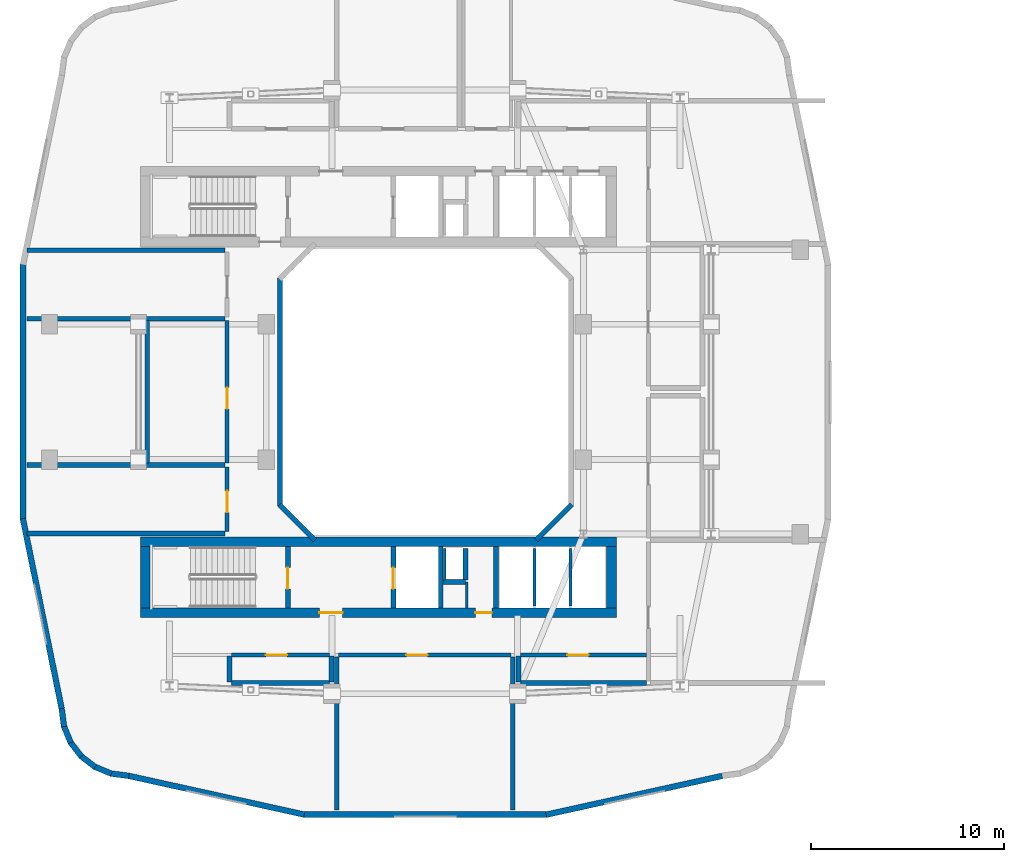
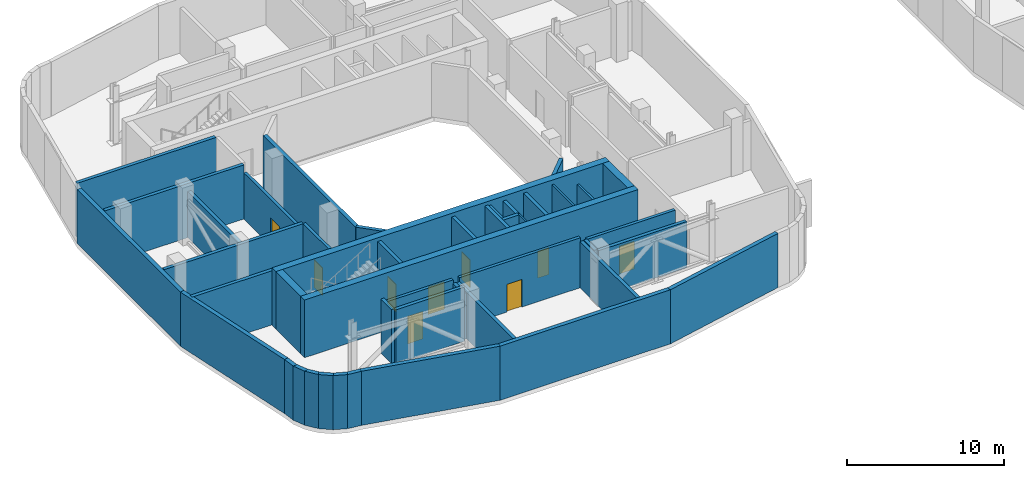
# One storey, part 7 of 18: 45 walls, 9 doors, 9 openings.
"""IFC4 building model written with IfcOpenShell, lengths in metres."""

from ifc_helpers import new_model, si_unit, derived_unit, direction, frame, frame_2d, origin, place, context, subcontext, project, spatial, rectangle, extrude, material, layer, layer_set, type_object, element, fill, save


model = new_model("IFC4")

# Units and contexts
model_context = context("Model", 3, precision=1e-05, world=origin(), true_north=direction((0.0, 1.0)))
body_context = subcontext(model_context, "Body", "Model", "MODEL_VIEW")
ifc_project = project(units=[si_unit("LENGTHUNIT", "METRE"), si_unit("AREAUNIT", "SQUARE_METRE"), si_unit("VOLUMEUNIT", "CUBIC_METRE"), si_unit("PLANEANGLEUNIT", "RADIAN"), si_unit("MASSUNIT", "GRAM", prefix="KILO"), derived_unit("THERMALTRANSMITTANCEUNIT", [(si_unit("POWERUNIT", "WATT"), 1), (si_unit("LENGTHUNIT", "METRE"), -2), (si_unit("THERMODYNAMICTEMPERATUREUNIT", "KELVIN"), -1)])], contexts=[model_context])

# Site, building, storey
site_placement = place(None, origin())
site = spatial("IfcSite", under=ifc_project, at=site_placement, CompositionType="ELEMENT")
building_placement = place(site_placement, origin())
building = spatial("IfcBuilding", under=site, at=building_placement, Name="Kivonza Crest Hotel", CompositionType="ELEMENT")
storey_placement = place(building_placement, frame((0.0, 0.0, 90.5)))
storey = spatial("IfcBuildingStorey", under=building, at=storey_placement, Name="L24", CompositionType="ELEMENT", Elevation=90.5)

# Wall, opening, door
ifc_material_1 = material(Name="Autoclaved aerated concrete blockwork", Category="masonry")
ifc_layer_1 = layer(ifc_material_1, 0.219970703125)
ifc_layer_set_1 = layer_set([ifc_layer_1], Name="Autoclaved aerated concrete blockwork")
wall_type_1 = type_object("IfcWallType", Name="WL-ACOU-220", PredefinedType="SOLIDWALL", material=ifc_layer_set_1)
wall_1_placement = place(storey_placement, frame((16.550048828125, 11.39990234375, 0.0), z_axis=(0.0, 0.0, 1.0), x_axis=(1.0, 0.0, 0.0)))
wall_1 = element("IfcWall", 1, at=wall_1_placement, inside=storey, type_object=wall_type_1, Name="L24 interior partition WA-L24-REF-S-N", PredefinedType="SOLIDWALL", context=body_context, shape_type="SweptSolid", body=[
    extrude(rectangle(XDim=8.89990234375, YDim=0.219970703125, at=frame_2d((4.449951171875, 0.0))), origin(), (0.0, 0.0, 1.0), 3.89501953125),
])
opening_1_placement = place(wall_1_placement, frame((3.5, 0.0, 0.0)))
opening_1 = element("IfcOpeningElement", 2, at=opening_1_placement, cuts=wall_1, Name="Opening DF-120", PredefinedType="OPENING", context=body_context, shape_type="SweptSolid", body=[
    extrude(rectangle(XDim=1.10009765625, YDim=2.14990234375, at=frame_2d((0.550048828125, 1.074951171875))), frame((0.0, 0.1201171875, 0.0), z_axis=(0.0, -1.0, 0.0), x_axis=(1.0, 0.0, 0.0)), (0.0, 0.0, 1.0), 0.239990234375),
])
ifc_material_2 = material(Name="Galvanised steel", Category="steel")
door_type_1 = type_object("IfcDoorType", Name="DR-FD120-1100", OperationType="NOTDEFINED", PredefinedType="DOOR", material=ifc_material_2)
door_1_placement = place(opening_1_placement, frame((1.10009765625, 0.0, 0.0), z_axis=(0.0, 0.0, 1.0), x_axis=(-1.0, 0.0, 0.0)))
door_1 = element("IfcDoor", 3, at=door_1_placement, inside=storey, type_object=door_type_1, Name="L24 South Protected Refuge Area door", OperationType="SINGLE_SWING_LEFT", OverallHeight=2.14990234375, OverallWidth=1.10009765625, PredefinedType="DOOR", context=body_context, shape_type="SweptSolid", body=[
    extrude(rectangle(XDim=1.10009765625, YDim=2.14990234375, at=frame_2d((0.550048828125, 1.074951171875))), frame((0.0, 0.02490234375, 0.0), z_axis=(0.0, -1.0, 0.0), x_axis=(1.0, 0.0, 0.0)), (0.0, 0.0, 1.0), 0.050048828125),
])
fill(opening_1, door_1)

wall_2_placement = place(storey_placement, frame((10.780029296875, 17.780029296875, 0.0), z_axis=(0.0, 0.0, 1.0), x_axis=(0.0, 1.0, 0.0)))
wall_2 = element("IfcWall", 4, at=wall_2_placement, inside=storey, type_object=wall_type_1, Name="L24 interior partition WA-L24-PL-TNK-E", PredefinedType="SOLIDWALL", context=body_context, shape_type="SweptSolid", body=[
    extrude(rectangle(XDim=3.340087890625, YDim=0.219970703125, at=frame_2d((1.669921875, 0.0))), origin(), (0.0, 0.0, 1.0), 4.219970703125),
])
opening_2_placement = place(wall_2_placement, frame((0.998046875, 0.0, 0.0)))
opening_2 = element("IfcOpeningElement", 5, at=opening_2_placement, cuts=wall_2, Name="Opening DF-120", PredefinedType="OPENING", context=body_context, shape_type="SweptSolid", body=[
    extrude(rectangle(XDim=1.10009765625, YDim=2.14990234375, at=frame_2d((0.550048828125, 1.074951171875))), frame((0.0, 0.1201171875, 0.0), z_axis=(0.0, -1.0, 0.0), x_axis=(1.0, 0.0, 0.0)), (0.0, 0.0, 1.0), 0.239990234375),
])
door_2_placement = place(opening_2_placement, origin())
door_2 = element("IfcDoor", 6, at=door_2_placement, inside=storey, type_object=door_type_1, Name="L24 Fire Break Tank and Booster Pump Room door", OperationType="SINGLE_SWING_RIGHT", OverallHeight=2.14990234375, OverallWidth=1.10009765625, PredefinedType="DOOR", context=body_context, shape_type="SweptSolid", body=[
    extrude(rectangle(XDim=1.10009765625, YDim=2.14990234375, at=frame_2d((0.550048828125, 1.074951171875))), frame((0.0, 0.02490234375, 0.0), z_axis=(0.0, -1.0, 0.0), x_axis=(1.0, 0.0, 0.0)), (0.0, 0.0, 1.0), 0.050048828125),
])
fill(opening_2, door_2)

wall_3_placement = place(storey_placement, frame((10.780029296875, 21.320068359375, 0.0), z_axis=(0.0, 0.0, 1.0), x_axis=(0.0, 1.0, 0.0)))
wall_3 = element("IfcWall", 7, at=wall_3_placement, inside=storey, type_object=wall_type_1, Name="L24 interior partition WA-L24-PL-CHL-E", PredefinedType="SOLIDWALL", context=body_context, shape_type="SweptSolid", body=[
    extrude(rectangle(XDim=7.35986328125, YDim=0.219970703125, at=frame_2d((3.679931640625, 0.0))), origin(), (0.0, 0.0, 1.0), 3.594970703125),
])
opening_3_placement = place(wall_3_placement, frame((2.806884765625, 0.0, 0.0)))
opening_3 = element("IfcOpeningElement", 8, at=opening_3_placement, cuts=wall_3, Name="Opening DF-120", PredefinedType="OPENING", context=body_context, shape_type="SweptSolid", body=[
    extrude(rectangle(XDim=1.10009765625, YDim=2.14990234375, at=frame_2d((0.550048828125, 1.074951171875))), frame((0.0, 0.1201171875, 0.0), z_axis=(0.0, -1.0, 0.0), x_axis=(1.0, 0.0, 0.0)), (0.0, 0.0, 1.0), 0.239990234375),
])
door_3_placement = place(opening_3_placement, origin())
door_3 = element("IfcDoor", 9, at=door_3_placement, inside=storey, type_object=door_type_1, Name="L24 Chilled Water Header Plant Room door", OperationType="SINGLE_SWING_LEFT", OverallHeight=2.14990234375, OverallWidth=1.10009765625, PredefinedType="DOOR", context=body_context, shape_type="SweptSolid", body=[
    extrude(rectangle(XDim=1.10009765625, YDim=2.14990234375, at=frame_2d((0.550048828125, 1.074951171875))), frame((0.0, 0.02490234375, 0.0), z_axis=(0.0, -1.0, 0.0), x_axis=(1.0, 0.0, 0.0)), (0.0, 0.0, 1.0), 0.050048828125),
])
fill(opening_3, door_3)

wall_4_placement = place(storey_placement, frame((11.0, 11.39990234375, 0.0), z_axis=(0.0, 0.0, 1.0), x_axis=(1.0, 0.0, 0.0)))
wall_4 = element("IfcWall", 10, at=wall_4_placement, inside=storey, type_object=wall_type_1, Name="L24 interior partition WA-L24-PL-MSW-N", PredefinedType="SOLIDWALL", context=body_context, shape_type="SweptSolid", body=[
    extrude(rectangle(XDim=5.080078125, YDim=0.219970703125, at=frame_2d((2.5400390625, 0.0))), origin(), (0.0, 0.0, 1.0), 3.89501953125),
])
opening_4_placement = place(wall_4_placement, frame((1.781005859375, 0.0, 0.0)))
opening_4 = element("IfcOpeningElement", 11, at=opening_4_placement, cuts=wall_4, Name="Opening DF-120", PredefinedType="OPENING", context=body_context, shape_type="SweptSolid", body=[
    extrude(rectangle(XDim=1.10009765625, YDim=2.14990234375, at=frame_2d((0.550048828125, 1.074951171875))), frame((0.0, 0.1201171875, 0.0), z_axis=(0.0, -1.0, 0.0), x_axis=(1.0, 0.0, 0.0)), (0.0, 0.0, 1.0), 0.239990234375),
])
door_4_placement = place(opening_4_placement, frame((1.10009765625, 0.0, 0.0), z_axis=(0.0, 0.0, 1.0), x_axis=(-1.0, 0.0, 0.0)))
door_4 = element("IfcDoor", 12, at=door_4_placement, inside=storey, type_object=door_type_1, Name="L24 South-West Booster Plant Room door", OperationType="SINGLE_SWING_LEFT", OverallHeight=2.14990234375, OverallWidth=1.10009765625, PredefinedType="DOOR", context=body_context, shape_type="SweptSolid", body=[
    extrude(rectangle(XDim=1.10009765625, YDim=2.14990234375, at=frame_2d((0.550048828125, 1.074951171875))), frame((0.0, 0.02490234375, 0.0), z_axis=(0.0, -1.0, 0.0), x_axis=(1.0, 0.0, 0.0)), (0.0, 0.0, 1.0), 0.050048828125),
])
fill(opening_4, door_4)

wall_5_placement = place(storey_placement, frame((25.949951171875, 11.39990234375, 0.0), z_axis=(0.0, 0.0, 1.0), x_axis=(1.0, 0.0, 0.0)))
wall_5 = element("IfcWall", 13, at=wall_5_placement, inside=storey, type_object=wall_type_1, Name="L24 interior partition WA-L24-PL-MIDS-N", PredefinedType="SOLIDWALL", context=body_context, shape_type="SweptSolid", body=[
    extrude(rectangle(XDim=6.510009765625, YDim=0.219970703125, at=frame_2d((3.2548828125, 0.0))), origin(), (0.0, 0.0, 1.0), 3.594970703125),
])
opening_5_placement = place(wall_5_placement, frame((2.425048828125, 0.0, 0.0)))
opening_5 = element("IfcOpeningElement", 14, at=opening_5_placement, cuts=wall_5, Name="Opening DF-120", PredefinedType="OPENING", context=body_context, shape_type="SweptSolid", body=[
    extrude(rectangle(XDim=1.10009765625, YDim=2.14990234375, at=frame_2d((0.550048828125, 1.074951171875))), frame((0.0, 0.1201171875, 0.0), z_axis=(0.0, -1.0, 0.0), x_axis=(1.0, 0.0, 0.0)), (0.0, 0.0, 1.0), 0.239990234375),
])
door_5_placement = place(opening_5_placement, frame((1.10009765625, 0.0, 0.0), z_axis=(0.0, 0.0, 1.0), x_axis=(-1.0, 0.0, 0.0)))
door_5 = element("IfcDoor", 15, at=door_5_placement, inside=storey, type_object=door_type_1, Name="L24 South-East Header Plant Room door", OperationType="SINGLE_SWING_LEFT", OverallHeight=2.14990234375, OverallWidth=1.10009765625, PredefinedType="DOOR", context=body_context, shape_type="SweptSolid", body=[
    extrude(rectangle(XDim=1.10009765625, YDim=2.14990234375, at=frame_2d((0.550048828125, 1.074951171875))), frame((0.0, 0.02490234375, 0.0), z_axis=(0.0, -1.0, 0.0), x_axis=(1.0, 0.0, 0.0)), (0.0, 0.0, 1.0), 0.050048828125),
])
fill(opening_5, door_5)

# Wall, openings, doors
ifc_material_3 = material(Name="Concrete C60/75", Category="concrete")
ifc_layer_2 = layer(ifc_material_3, 0.5)
ifc_layer_set_2 = layer_set([ifc_layer_2], Name="Concrete C60/75")
wall_type_2 = type_object("IfcWallType", Name="WL-CORE-500", PredefinedType="SHEAR", material=ifc_layer_set_2)
wall_6_placement = place(storey_placement, frame((6.300048828125, 13.590087890625, 0.0), z_axis=(0.0, 0.0, 1.0), x_axis=(1.0, 0.0, 0.0)))
wall_6 = element("IfcWall", 16, at=wall_6_placement, inside=storey, type_object=wall_type_2, Name="Core wall T1-S South L24", PredefinedType="SHEAR", context=body_context, shape_type="SweptSolid", body=[
    extrude(rectangle(XDim=24.599853515625, YDim=0.5, at=frame_2d((12.2998046875, 0.0))), origin(), (0.0, 0.0, 1.0), 4.5),
])
opening_6_placement = place(wall_6_placement, frame((9.25, 0.0, 0.0)))
opening_6 = element("IfcOpeningElement", 17, at=opening_6_placement, cuts=wall_6, Name="Opening DF-60", PredefinedType="OPENING", context=body_context, shape_type="SweptSolid", body=[
    extrude(rectangle(XDim=1.199951171875, YDim=2.14990234375, at=frame_2d((0.60009765625, 1.074951171875))), frame((0.0, 0.260009765625, 0.0), z_axis=(0.0, -1.0, 0.0), x_axis=(1.0, 0.0, 0.0)), (0.0, 0.0, 1.0), 0.52001953125),
])
opening_7_placement = place(wall_6_placement, frame((17.320068359375, 0.0, 0.0)))
opening_7 = element("IfcOpeningElement", 18, at=opening_7_placement, cuts=wall_6, Name="Opening DF-60R", PredefinedType="OPENING", context=body_context, shape_type="SweptSolid", body=[
    extrude(rectangle(XDim=0.85009765625, YDim=2.10009765625, at=frame_2d((0.425048828125, 1.050048828125))), frame((0.0, 0.260009765625, 0.0), z_axis=(0.0, -1.0, 0.0), x_axis=(1.0, 0.0, 0.0)), (0.0, 0.0, 1.0), 0.52001953125),
])
ifc_material_4 = material(Name="Hardwood timber oak", Category="wood")
door_type_2 = type_object("IfcDoorType", Name="DR-FD60-1200", OperationType="NOTDEFINED", PredefinedType="DOOR", material=ifc_material_4)
door_6_placement = place(opening_6_placement, frame((1.199951171875, 0.0, 0.0), z_axis=(0.0, 0.0, 1.0), x_axis=(-1.0, 0.0, 0.0)))
door_6 = element("IfcDoor", 19, at=door_6_placement, inside=storey, type_object=door_type_2, Name="L24 T1-S firefighting lobby fire door", OperationType="SINGLE_SWING_LEFT", OverallHeight=2.14990234375, OverallWidth=1.199951171875, PredefinedType="DOOR", context=body_context, shape_type="SweptSolid", body=[
    extrude(rectangle(XDim=1.199951171875, YDim=2.14990234375, at=frame_2d((0.60009765625, 1.074951171875))), frame((0.0, 0.02490234375, 0.0), z_axis=(0.0, -1.0, 0.0), x_axis=(1.0, 0.0, 0.0)), (0.0, 0.0, 1.0), 0.050048828125),
])
fill(opening_6, door_6)
door_type_3 = type_object("IfcDoorType", Name="DR-FD60-850", OperationType="NOTDEFINED", PredefinedType="DOOR", material=ifc_material_4)
door_7_placement = place(opening_7_placement, frame((0.85009765625, 0.0, 0.0), z_axis=(0.0, 0.0, 1.0), x_axis=(-1.0, 0.0, 0.0)))
door_7 = element("IfcDoor", 20, at=door_7_placement, inside=storey, type_object=door_type_3, Name="L24 T1-S core room door", OperationType="SINGLE_SWING_RIGHT", OverallHeight=2.10009765625, OverallWidth=0.85009765625, PredefinedType="DOOR", context=body_context, shape_type="SweptSolid", body=[
    extrude(rectangle(XDim=0.85009765625, YDim=2.10009765625, at=frame_2d((0.425048828125, 1.050048828125))), frame((0.0, 0.02490234375, 0.0), z_axis=(0.0, -1.0, 0.0), x_axis=(1.0, 0.0, 0.0)), (0.0, 0.0, 1.0), 0.050048828125),
])
fill(opening_7, door_7)

# Walls
wall_7_placement = place(storey_placement, frame((6.300048828125, 17.25, 0.0), z_axis=(0.0, 0.0, 1.0), x_axis=(1.0, 0.0, 0.0)))
element("IfcWall", 21, at=wall_7_placement, inside=storey, type_object=wall_type_2, Name="Core wall T1-S North L24", PredefinedType="SHEAR", context=body_context, shape_type="SweptSolid", body=[
    extrude(rectangle(XDim=24.599853515625, YDim=0.5, at=frame_2d((12.2998046875, 0.0))), origin(), (0.0, 0.0, 1.0), 4.5),
])
for number, where, z_axis, x_axis, name in (
    (22, (6.550048828125, 13.840087890625, 0.0), (0.0, 0.0, 1.0), (0.0, 1.0, 0.0), "Core wall T1-S West L24"),
    (23, (30.64990234375, 13.840087890625, 0.0), (0.0, 0.0, 1.0), (0.0, 1.0, 0.0), "Core wall T1-S East L24"),
):
    element("IfcWall", number, at=place(storey_placement, frame(where, z_axis=z_axis, x_axis=x_axis)), inside=storey, type_object=wall_type_2, Name=name, PredefinedType="SHEAR", context=body_context, shape_type="SweptSolid", body=[
        extrude(rectangle(XDim=3.159912109375, YDim=0.5, at=frame_2d((1.580078125, 0.0))), origin(), (0.0, 0.0, 1.0), 4.5),
    ])
ifc_material_5 = material(Name="Precast concrete C40/50", Category="concrete")
ifc_layer_3 = layer(ifc_material_5, 0.260009765625)
ifc_layer_set_3 = layer_set([ifc_layer_3], Name="Precast concrete C40/50")
wall_type_3 = type_object("IfcWallType", Name="WL-EXT-260", PredefinedType="STANDARD", material=ifc_layer_set_3)
wall_8_placement = place(storey_placement, frame((26.761962890625, 17.337890625, 0.0), z_axis=(0.0, 0.0, 1.0), x_axis=(0.707059717605, 0.707153841636, 0.0)))
element("IfcWall", 24, at=wall_8_placement, inside=storey, type_object=wall_type_3, Name="L24 T1 light-well exterior wall 2", PredefinedType="STANDARD", context=body_context, shape_type="SweptSolid", body=[
    extrude(rectangle(XDim=2.59375, YDim=0.260009765625, at=frame_2d((1.296875, 0.0))), origin(), (0.0, 0.0, 1.0), 4.219970703125),
])
wall_9_placement = place(storey_placement, frame((13.510009765625, 30.889892578125, 0.0), z_axis=(0.0, 0.0, 1.0), x_axis=(0.0, -1.0, 0.0)))
element("IfcWall", 25, at=wall_9_placement, inside=storey, type_object=wall_type_3, Name="L24 T1 light-well exterior wall 7", PredefinedType="STANDARD", context=body_context, shape_type="SweptSolid", body=[
    extrude(rectangle(XDim=11.77978515625, YDim=0.260009765625, at=frame_2d((5.889892578125, 0.0))), origin(), (0.0, 0.0, 1.0), 4.219970703125),
])
wall_10_placement = place(storey_placement, frame((13.48388671875, 19.172119140625, 0.0), z_axis=(0.0, 0.0, 1.0), x_axis=(0.707106781187, -0.707106781187, 0.0)))
element("IfcWall", 26, at=wall_10_placement, inside=storey, type_object=wall_type_3, Name="L24 T1 light-well exterior wall 8", PredefinedType="STANDARD", context=body_context, shape_type="SweptSolid", body=[
    extrude(rectangle(XDim=2.593994140625, YDim=0.260009765625, at=frame_2d((1.296875, 0.0))), origin(), (0.0, 0.0, 1.0), 4.219970703125),
])
ifc_layer_4 = layer(ifc_material_5, 0.300048828125)
ifc_layer_set_4 = layer_set([ifc_layer_4], Name="Precast concrete C40/50")
wall_type_4 = type_object("IfcWallType", Name="WL-EXT-300", PredefinedType="STANDARD", material=ifc_layer_set_4)
wall_11_placement = place(storey_placement, frame((2.22802734375, 8.6279296875, 0.0), z_axis=(0.0, 0.0, 1.0), x_axis=(0.131174864804, -0.991359246108, 0.0)))
element("IfcWall", 27, at=wall_11_placement, inside=storey, type_object=wall_type_4, Name="L24 T1 exterior insulated wall 1", PredefinedType="STANDARD", context=body_context, shape_type="SweptSolid", body=[
    extrude(rectangle(XDim=0.93798828125, YDim=0.300048828125, at=frame_2d((0.468994140625, 0.0))), origin(), (0.0, 0.0, 1.0), 4.219970703125),
])
wall_12_placement = place(storey_placement, frame((2.33203125, 7.748046875, 0.0), z_axis=(0.0, 0.0, 1.0), x_axis=(0.382344263057, -0.924019948111, 0.0)))
element("IfcWall", 28, at=wall_12_placement, inside=storey, type_object=wall_type_4, Name="L24 T1 exterior insulated wall 2", PredefinedType="STANDARD", context=body_context, shape_type="SweptSolid", body=[
    extrude(rectangle(XDim=0.95458984375, YDim=0.300048828125, at=frame_2d((0.477294921875, 0.0))), origin(), (0.0, 0.0, 1.0), 4.219970703125),
])
for number, where, z_axis, x_axis, name in (
    (29, (2.666015625, 6.910888671875, 0.0), (0.0, 0.0, 1.0), (0.608474481025, -0.793573440799, 0.0), "L24 T1 exterior insulated wall 3"),
    (30, (3.205078125, 6.18798828125, 0.0), (0.0, 0.0, 1.0), (0.793573440799, -0.608474481025, 0.0), "L24 T1 exterior insulated wall 4"),
):
    element("IfcWall", number, at=place(storey_placement, frame(where, z_axis=z_axis, x_axis=x_axis)), inside=storey, type_object=wall_type_4, Name=name, PredefinedType="STANDARD", context=body_context, shape_type="SweptSolid", body=[
        extrude(rectangle(XDim=0.954833984375, YDim=0.300048828125, at=frame_2d((0.4775390625, 0.0))), origin(), (0.0, 0.0, 1.0), 4.219970703125),
    ])
wall_13_placement = place(storey_placement, frame((3.9140625, 5.631103515625, 0.0), z_axis=(0.0, 0.0, 1.0), x_axis=(0.923982547689, -0.382434636986, 0.0)))
element("IfcWall", 31, at=wall_13_placement, inside=storey, type_object=wall_type_4, Name="L24 T1 exterior insulated wall 5", PredefinedType="STANDARD", context=body_context, shape_type="SweptSolid", body=[
    extrude(rectangle(XDim=0.954345703125, YDim=0.300048828125, at=frame_2d((0.47705078125, 0.0))), origin(), (0.0, 0.0, 1.0), 4.219970703125),
])
wall_14_placement = place(storey_placement, frame((4.742919921875, 5.27490234375, 0.0), z_axis=(0.0, 0.0, 1.0), x_axis=(0.99145856342, -0.130422072598, 0.0)))
element("IfcWall", 32, at=wall_14_placement, inside=storey, type_object=wall_type_4, Name="L24 T1 exterior insulated wall 6", PredefinedType="STANDARD", context=body_context, shape_type="SweptSolid", body=[
    extrude(rectangle(XDim=0.973388671875, YDim=0.300048828125, at=frame_2d((0.48681640625, 0.0))), origin(), (0.0, 0.0, 1.0), 4.219970703125),
])
wall_15_placement = place(storey_placement, frame((5.7041015625, 5.14794921875, 0.0), z_axis=(0.0, 0.0, 1.0), x_axis=(0.976539545934, -0.215338141596, 0.0)))
element("IfcWall", 33, at=wall_15_placement, inside=storey, type_object=wall_type_4, Name="L24 T1 exterior insulated wall 7", PredefinedType="STANDARD", context=body_context, shape_type="SweptSolid", body=[
    extrude(rectangle(XDim=9.28759765625, YDim=0.300048828125, at=frame_2d((4.643798828125, 0.0))), origin(), (0.0, 0.0, 1.0), 4.219970703125),
])
wall_16_placement = place(storey_placement, frame((14.72705078125, 3.14990234375, 0.0), z_axis=(0.0, 0.0, 1.0), x_axis=(1.0, 0.0, 0.0)))
element("IfcWall", 34, at=wall_16_placement, inside=storey, type_object=wall_type_4, Name="L24 T1 exterior insulated wall 8", PredefinedType="STANDARD", context=body_context, shape_type="SweptSolid", body=[
    extrude(rectangle(XDim=12.591064453125, YDim=0.300048828125, at=frame_2d((6.29541015625, 0.0))), origin(), (0.0, 0.0, 1.0), 4.219970703125),
])
wall_17_placement = place(storey_placement, frame((27.27197265625, 3.14111328125, 0.0), z_axis=(0.0, 0.0, 1.0), x_axis=(0.976555357219, 0.21526642629, 0.0)))
element("IfcWall", 35, at=wall_17_placement, inside=storey, type_object=wall_type_4, Name="L24 T1 exterior insulated wall 9", PredefinedType="STANDARD", context=body_context, shape_type="SweptSolid", body=[
    extrude(rectangle(XDim=9.322509765625, YDim=0.300048828125, at=frame_2d((4.6611328125, 0.0))), origin(), (0.0, 0.0, 1.0), 4.219970703125),
])
wall_18_placement = place(storey_placement, frame((0.22998046875, 31.625, 0.0), z_axis=(0.0, 0.0, 1.0), x_axis=(0.0, -1.0, 0.0)))
element("IfcWall", 36, at=wall_18_placement, inside=storey, type_object=wall_type_4, Name="L24 T1 exterior insulated wall 35", PredefinedType="STANDARD", context=body_context, shape_type="SweptSolid", body=[
    extrude(rectangle(XDim=13.215087890625, YDim=0.300048828125, at=frame_2d((6.607421875, 0.0))), origin(), (0.0, 0.0, 1.0), 4.219970703125),
])
wall_19_placement = place(storey_placement, frame((0.221923828125, 18.4541015625, 0.0), z_axis=(0.0, 0.0, 1.0), x_axis=(0.200011968255, -0.979793454027, 0.0)))
element("IfcWall", 37, at=wall_19_placement, inside=storey, type_object=wall_type_4, Name="L24 T1 exterior insulated wall 36", PredefinedType="STANDARD", context=body_context, shape_type="SweptSolid", body=[
    extrude(rectangle(XDim=10.034912109375, YDim=0.300048828125, at=frame_2d((5.017578125, 0.0))), origin(), (0.0, 0.0, 1.0), 4.219970703125),
])
ifc_material_6 = material(Name="Concrete blockwork fire-compartment wall", Category="masonry")
ifc_layer_5 = layer(ifc_material_6, 0.25)
ifc_layer_set_5 = layer_set([ifc_layer_5], Name="Concrete blockwork fire-compartment wall")
wall_type_5 = type_object("IfcWallType", Name="WL-FIRE-250", PredefinedType="SOLIDWALL", material=ifc_layer_set_5)
wall_20_placement = place(storey_placement, frame((23.10009765625, 15.280029296875, 0.0), z_axis=(0.0, 0.0, 1.0), x_axis=(0.0, 1.0, 0.0)))
element("IfcWall", 38, at=wall_20_placement, inside=storey, type_object=wall_type_5, Name="L24 interior partition WA-L24-T1-S-MEPR-E", PredefinedType="SOLIDWALL", context=body_context, shape_type="SweptSolid", body=[
    extrude(rectangle(XDim=1.619873046875, YDim=0.25, at=frame_2d((0.81005859375, 0.0))), origin(), (0.0, 0.0, 1.0), 4.219970703125),
])
wall_21_placement = place(storey_placement, frame((21.949951171875, 15.179931640625, 0.0), z_axis=(0.0, 0.0, 1.0), x_axis=(1.0, 0.0, 0.0)))
element("IfcWall", 39, at=wall_21_placement, inside=storey, type_object=wall_type_5, Name="L24 interior partition WA-L24-T1-S-MEPR-H", PredefinedType="SOLIDWALL", context=body_context, shape_type="SweptSolid", body=[
    extrude(rectangle(XDim=1.150146484375, YDim=0.25, at=frame_2d((0.5751953125, 0.0))), origin(), (0.0, 0.0, 1.0), 4.219970703125),
])
for number, where, z_axis, x_axis, name in (
    (40, (16.449951171875, 3.39990234375, 0.0), (0.0, 0.0, 1.0), (0.0, 1.0, 0.0), "L24 interior partition WP-L24-REF-S-BW"),
    (41, (25.550048828125, 3.39990234375, 0.0), (0.0, 0.0, 1.0), (0.0, 1.0, 0.0), "L24 interior partition WP-L24-REF-S-BE"),
):
    element("IfcWall", number, at=place(storey_placement, frame(where, z_axis=z_axis, x_axis=x_axis)), inside=storey, type_object=wall_type_5, Name=name, PredefinedType="SOLIDWALL", context=body_context, shape_type="SweptSolid", body=[
        extrude(rectangle(XDim=7.900146484375, YDim=0.25, at=frame_2d((3.9501953125, 0.0))), origin(), (0.0, 0.0, 1.0), 3.594970703125),
    ])
for number, where, z_axis, x_axis, name in (
    (42, (0.429931640625, 17.679931640625, 0.0), (0.0, 0.0, 1.0), (1.0, 0.0, 0.0), "L24 interior partition WP-L24-PL-TNK-BS"),
    (43, (0.429931640625, 21.219970703125, 0.0), (0.0, 0.0, 1.0), (1.0, 0.0, 0.0), "L24 interior partition WP-L24-PL-TNK-BN"),
):
    element("IfcWall", number, at=place(storey_placement, frame(where, z_axis=z_axis, x_axis=x_axis)), inside=storey, type_object=wall_type_5, Name=name, PredefinedType="SOLIDWALL", context=body_context, shape_type="SweptSolid", body=[
        extrude(rectangle(XDim=10.25, YDim=0.25, at=frame_2d((5.125, 0.0))), origin(), (0.0, 0.0, 1.0), 4.219970703125),
    ])
wall_22_placement = place(storey_placement, frame((6.64990234375, 21.320068359375, 0.0), z_axis=(0.0, 0.0, 1.0), x_axis=(0.0, 1.0, 0.0)))
element("IfcWall", 44, at=wall_22_placement, inside=storey, type_object=wall_type_5, Name="L24 interior partition WP-L24-PL-CHL-BW", PredefinedType="SOLIDWALL", context=body_context, shape_type="SweptSolid", body=[
    extrude(rectangle(XDim=7.35986328125, YDim=0.25, at=frame_2d((3.679931640625, 0.0))), origin(), (0.0, 0.0, 1.0), 3.594970703125),
])
for number, where, z_axis, x_axis, name in (
    (45, (0.429931640625, 28.780029296875, 0.0), (0.0, 0.0, 1.0), (1.0, 0.0, 0.0), "L24 interior partition WP-L24-PL-AHU-BS"),
    (46, (0.429931640625, 32.320068359375, 0.0), (0.0, 0.0, 1.0), (1.0, 0.0, 0.0), "L24 interior partition WP-L24-PL-AHU-BN"),
):
    element("IfcWall", number, at=place(storey_placement, frame(where, z_axis=z_axis, x_axis=x_axis)), inside=storey, type_object=wall_type_5, Name=name, PredefinedType="SOLIDWALL", context=body_context, shape_type="SweptSolid", body=[
        extrude(rectangle(XDim=10.25, YDim=0.25, at=frame_2d((5.125, 0.0))), origin(), (0.0, 0.0, 1.0), 4.219970703125),
    ])
wall_23_placement = place(storey_placement, frame((10.89990234375, 10.0, 0.0), z_axis=(0.0, 0.0, 1.0), x_axis=(0.0, 1.0, 0.0)))
element("IfcWall", 47, at=wall_23_placement, inside=storey, type_object=wall_type_5, Name="L24 interior partition WP-L24-PL-MSW-BW", PredefinedType="SOLIDWALL", context=body_context, shape_type="SweptSolid", body=[
    extrude(rectangle(XDim=1.35009765625, YDim=0.25, at=frame_2d((0.675048828125, 0.0))), origin(), (0.0, 0.0, 1.0), 4.219970703125),
])
wall_24_placement = place(storey_placement, frame((16.179931640625, 10.0, 0.0), z_axis=(0.0, 0.0, 1.0), x_axis=(0.0, 1.0, 0.0)))
element("IfcWall", 48, at=wall_24_placement, inside=storey, type_object=wall_type_5, Name="L24 interior partition WP-L24-PL-MSW-BE", PredefinedType="SOLIDWALL", context=body_context, shape_type="SweptSolid", body=[
    extrude(rectangle(XDim=1.35009765625, YDim=0.25, at=frame_2d((0.675048828125, 0.0))), origin(), (0.0, 0.0, 1.0), 3.594970703125),
])
wall_25_placement = place(storey_placement, frame((11.0, 9.949951171875, 0.0), z_axis=(0.0, 0.0, 1.0), x_axis=(1.0, 0.0, 0.0)))
element("IfcWall", 49, at=wall_25_placement, inside=storey, type_object=wall_type_5, Name="L24 interior partition WP-L24-PL-MSW-BS", PredefinedType="SOLIDWALL", context=body_context, shape_type="SweptSolid", body=[
    extrude(rectangle(XDim=5.080078125, YDim=0.25, at=frame_2d((2.5400390625, 0.0))), origin(), (0.0, 0.0, 1.0), 4.219970703125),
])
wall_26_placement = place(storey_placement, frame((25.85009765625, 10.0, 0.0), z_axis=(0.0, 0.0, 1.0), x_axis=(0.0, 1.0, 0.0)))
element("IfcWall", 50, at=wall_26_placement, inside=storey, type_object=wall_type_5, Name="L24 interior partition WP-L24-PL-MIDS-BW", PredefinedType="SOLIDWALL", context=body_context, shape_type="SweptSolid", body=[
    extrude(rectangle(XDim=1.35009765625, YDim=0.25, at=frame_2d((0.675048828125, 0.0))), origin(), (0.0, 0.0, 1.0), 3.594970703125),
])
wall_27_placement = place(storey_placement, frame((25.949951171875, 9.949951171875, 0.0), z_axis=(0.0, 0.0, 1.0), x_axis=(1.0, 0.0, 0.0)))
element("IfcWall", 51, at=wall_27_placement, inside=storey, type_object=wall_type_5, Name="L24 interior partition WP-L24-PL-MIDS-BS", PredefinedType="SOLIDWALL", context=body_context, shape_type="SweptSolid", body=[
    extrude(rectangle(XDim=6.510009765625, YDim=0.25, at=frame_2d((3.2548828125, 0.0))), origin(), (0.0, 0.0, 1.0), 3.594970703125),
])
ifc_material_7 = material(Name="Metal-stud gypsum board partition", Category="gypsum")
ifc_layer_6 = layer(ifc_material_7, 0.125)
ifc_layer_set_6 = layer_set([ifc_layer_6], Name="Metal-stud gypsum board partition")
wall_type_6 = type_object("IfcWallType", Name="WL-PART-125", PredefinedType="PARTITIONING", material=ifc_layer_set_6)
wall_28_placement = place(storey_placement, frame((23.159912109375, 13.840087890625, 0.0), z_axis=(0.0, 0.0, 1.0), x_axis=(0.0, 1.0, 0.0)))
element("IfcWall", 52, at=wall_28_placement, inside=storey, type_object=wall_type_6, Name="L24 interior partition WP-L24-T1-S-SV1V", PredefinedType="PARTITIONING", context=body_context, shape_type="SweptSolid", body=[
    extrude(rectangle(XDim=1.33984375, YDim=0.125, at=frame_2d((0.669921875, 0.0))), origin(), (0.0, 0.0, 1.0), 4.219970703125),
])
ifc_material_8 = material(Name="Twin-stud acoustic gypsum board partition", Category="gypsum")
ifc_layer_7 = layer(ifc_material_8, 0.14990234375)
ifc_layer_set_7 = layer_set([ifc_layer_7], Name="Twin-stud acoustic gypsum board partition")
wall_type_7 = type_object("IfcWallType", Name="WL-PART-150", PredefinedType="PARTITIONING", material=ifc_layer_set_7)
wall_29_placement = place(storey_placement, frame((22.030029296875, 15.280029296875, 0.0), z_axis=(0.0, 0.0, 1.0), x_axis=(0.0, 1.0, 0.0)))
element("IfcWall", 53, at=wall_29_placement, inside=storey, type_object=wall_type_7, Name="L24 interior partition WA-L24-T1-S-MEPR-W", PredefinedType="PARTITIONING", context=body_context, shape_type="SweptSolid", body=[
    extrude(rectangle(XDim=1.619873046875, YDim=0.14990234375, at=frame_2d((0.81005859375, 0.0))), origin(), (0.0, 0.0, 1.0), 4.219970703125),
])
wall_30_placement = place(storey_placement, frame((26.6669921875, 13.93994140625, 0.0), z_axis=(0.0, 0.0, 1.0), x_axis=(0.0, 1.0, 0.0)))
element("IfcWall", 54, at=wall_30_placement, inside=storey, type_object=wall_type_7, Name="L24 interior partition WP-L24-T1-S-BSH-1", PredefinedType="PARTITIONING", context=body_context, shape_type="SweptSolid", body=[
    extrude(rectangle(XDim=2.9599609375, YDim=0.14990234375, at=frame_2d((1.47998046875, 0.0))), origin(), (0.0, 0.0, 1.0), 4.219970703125),
])
wall_31_placement = place(storey_placement, frame((28.532958984375, 13.93994140625, 0.0), z_axis=(0.0, 0.0, 1.0), x_axis=(0.0, 1.0, 0.0)))
element("IfcWall", 55, at=wall_31_placement, inside=storey, type_object=wall_type_7, Name="L24 interior partition WP-L24-T1-S-BSH-2", PredefinedType="PARTITIONING", context=body_context, shape_type="SweptSolid", body=[
    extrude(rectangle(XDim=2.9599609375, YDim=0.14990234375, at=frame_2d((1.47998046875, 0.0))), origin(), (0.0, 0.0, 1.0), 3.594970703125),
])

# Wall, opening, door
ifc_material_9 = material(Name="Concrete C50/60", Category="concrete")
ifc_layer_8 = layer(ifc_material_9, 0.25)
ifc_layer_set_8 = layer_set([ifc_layer_8], Name="Concrete C50/60")
wall_type_8 = type_object("IfcWallType", Name="WL-SHAFT-250", PredefinedType="STANDARD", material=ifc_layer_set_8)
wall_32_placement = place(storey_placement, frame((13.925048828125, 13.840087890625, 0.0), z_axis=(0.0, 0.0, 1.0), x_axis=(0.0, 1.0, 0.0)))
wall_32 = element("IfcWall", 56, at=wall_32_placement, inside=storey, type_object=wall_type_8, Name="Core shaft wall T1-S STAIR L24", PredefinedType="STANDARD", context=body_context, shape_type="SweptSolid", body=[
    extrude(rectangle(XDim=3.159912109375, YDim=0.25, at=frame_2d((1.580078125, 0.0))), origin(), (0.0, 0.0, 1.0), 4.219970703125),
])
opening_8_placement = place(wall_32_placement, frame((0.97998046875, 0.0, 0.0)))
opening_8 = element("IfcOpeningElement", 57, at=opening_8_placement, cuts=wall_32, Name="Opening DF-120", PredefinedType="OPENING", context=body_context, shape_type="SweptSolid", body=[
    extrude(rectangle(XDim=1.10009765625, YDim=2.14990234375, at=frame_2d((0.550048828125, 1.074951171875))), frame((0.0, 0.135009765625, 0.0), z_axis=(0.0, -1.0, 0.0), x_axis=(1.0, 0.0, 0.0)), (0.0, 0.0, 1.0), 0.27001953125),
])
door_8_placement = place(opening_8_placement, frame((1.10009765625, 0.0, 0.0), z_axis=(0.0, 0.0, 1.0), x_axis=(-1.0, 0.0, 0.0)))
door_8 = element("IfcDoor", 58, at=door_8_placement, inside=storey, type_object=door_type_1, Name="L24 T1-S stair fire door", OperationType="SINGLE_SWING_RIGHT", OverallHeight=2.14990234375, OverallWidth=1.10009765625, PredefinedType="DOOR", context=body_context, shape_type="SweptSolid", body=[
    extrude(rectangle(XDim=1.10009765625, YDim=2.14990234375, at=frame_2d((0.550048828125, 1.074951171875))), frame((0.0, 0.02490234375, 0.0), z_axis=(0.0, -1.0, 0.0), x_axis=(1.0, 0.0, 0.0)), (0.0, 0.0, 1.0), 0.050048828125),
])
fill(opening_8, door_8)

wall_33_placement = place(storey_placement, frame((19.375, 13.840087890625, 0.0), z_axis=(0.0, 0.0, 1.0), x_axis=(0.0, 1.0, 0.0)))
wall_33 = element("IfcWall", 59, at=wall_33_placement, inside=storey, type_object=wall_type_8, Name="Core shaft wall T1-S FFL-W L24", PredefinedType="STANDARD", context=body_context, shape_type="SweptSolid", body=[
    extrude(rectangle(XDim=3.159912109375, YDim=0.25, at=frame_2d((1.580078125, 0.0))), origin(), (0.0, 0.0, 1.0), 4.219970703125),
])
opening_9_placement = place(wall_33_placement, frame((0.97998046875, 0.0, 0.0)))
opening_9 = element("IfcOpeningElement", 60, at=opening_9_placement, cuts=wall_33, Name="Opening LD-120", PredefinedType="OPENING", context=body_context, shape_type="SweptSolid", body=[
    extrude(rectangle(XDim=1.10009765625, YDim=2.14990234375, at=frame_2d((0.550048828125, 1.074951171875))), frame((0.0, 0.135009765625, 0.0), z_axis=(0.0, -1.0, 0.0), x_axis=(1.0, 0.0, 0.0)), (0.0, 0.0, 1.0), 0.27001953125),
])
ifc_material_10 = material(Name="Stainless steel", Category="steel")
door_type_4 = type_object("IfcDoorType", Name="DR-LD120-1100", OperationType="NOTDEFINED", PredefinedType="DOOR", material=ifc_material_10)
door_9_placement = place(opening_9_placement, origin())
door_9 = element("IfcDoor", 61, at=door_9_placement, inside=storey, type_object=door_type_4, Name="L24 FFL-T1-S firefighting lift sliding landing door", OperationType="DOUBLE_DOOR_SLIDING", OverallHeight=2.14990234375, OverallWidth=1.10009765625, PredefinedType="DOOR", context=body_context, shape_type="SweptSolid", body=[
    extrude(rectangle(XDim=1.10009765625, YDim=2.14990234375, at=frame_2d((0.550048828125, 1.074951171875))), frame((0.0, 0.02490234375, 0.0), z_axis=(0.0, -1.0, 0.0), x_axis=(1.0, 0.0, 0.0)), (0.0, 0.0, 1.0), 0.050048828125),
])
fill(opening_9, door_9)

# Walls
for number, where, z_axis, x_axis, name in (
    (62, (21.824951171875, 13.840087890625, 0.0), (0.0, 0.0, 1.0), (0.0, 1.0, 0.0), "Core shaft wall T1-S FFL-E L24"),
    (63, (24.675048828125, 13.840087890625, 0.0), (0.0, 0.0, 1.0), (0.0, 1.0, 0.0), "Core shaft wall T1-S BANK-W L24"),
):
    element("IfcWall", number, at=place(storey_placement, frame(where, z_axis=z_axis, x_axis=x_axis)), inside=storey, type_object=wall_type_8, Name=name, PredefinedType="STANDARD", context=body_context, shape_type="SweptSolid", body=[
        extrude(rectangle(XDim=3.159912109375, YDim=0.25, at=frame_2d((1.580078125, 0.0))), origin(), (0.0, 0.0, 1.0), 4.219970703125),
    ])

save(model, "model.ifc")
